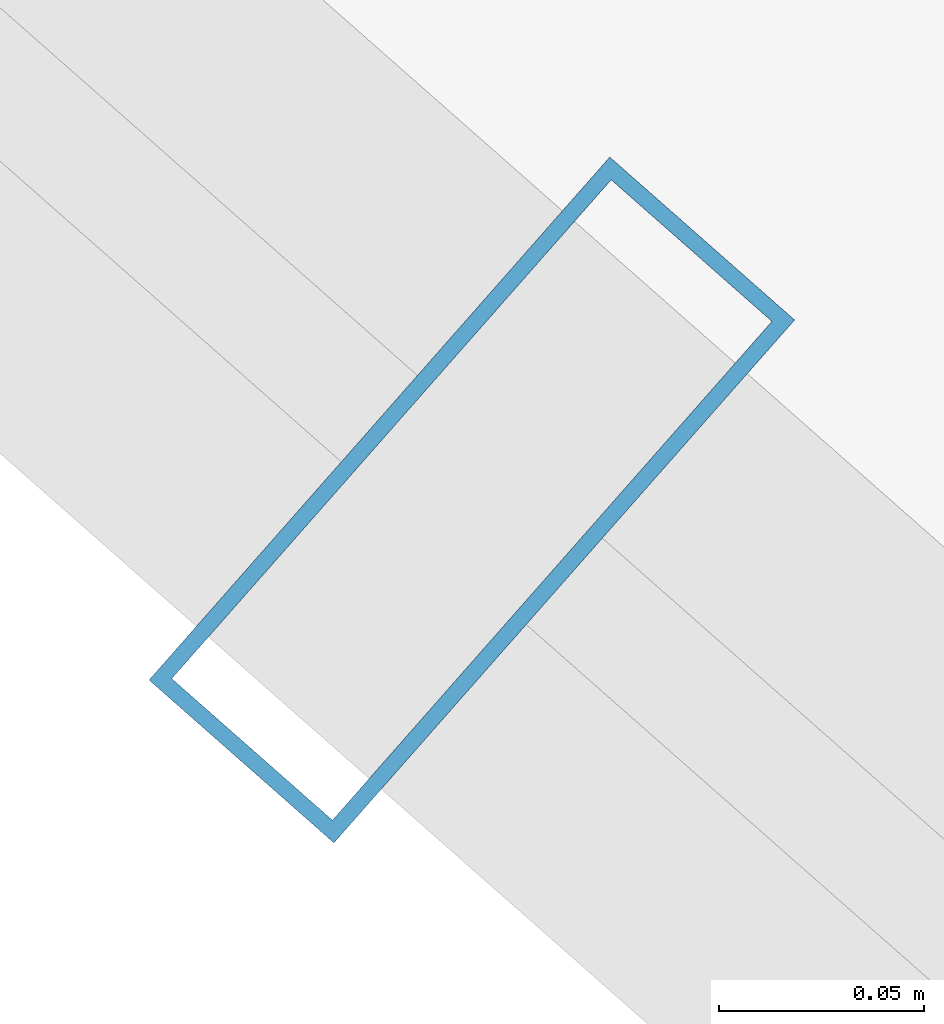
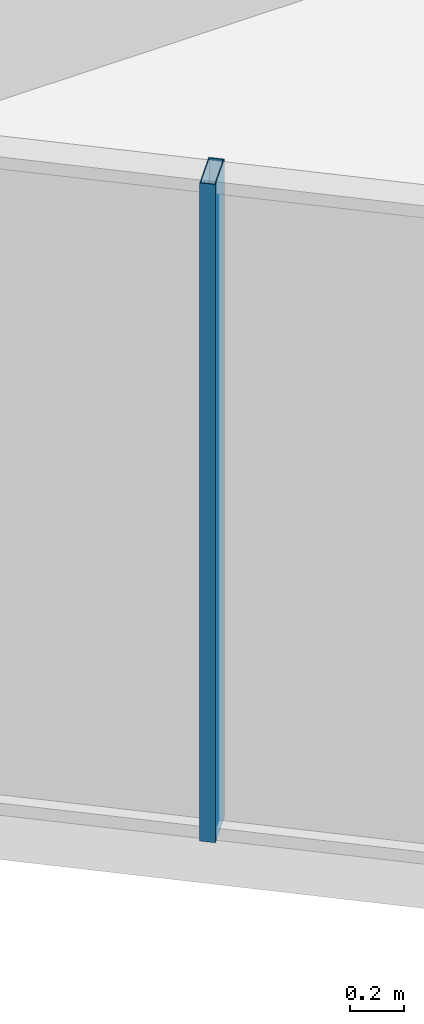
# One storey, part 2 of 32: 1 member, 1 element without a shape of its own.
"""IFC4 building model written with IfcOpenShell, lengths in metres."""

from ifc_helpers import new_model, si_unit, direction, frame, origin, origin_2d, place, context, subcontext, project, spatial, hollow_rectangle, extrude, source, transform, mapped, material, layer, layer_set, material_profile, profile_set, type_object, element, aggregate, save


model = new_model("IFC4")

# Units and contexts
model_context = context("Model", 3, precision=1e-05, world=origin(), true_north=direction((0.0, 1.0)))
body_context = subcontext(model_context, "Body", "Model", "MODEL_VIEW")
ifc_project = project(units=[si_unit("LENGTHUNIT", "METRE"), si_unit("AREAUNIT", "SQUARE_METRE"), si_unit("VOLUMEUNIT", "CUBIC_METRE"), si_unit("PLANEANGLEUNIT", "RADIAN"), si_unit("MASSUNIT", "GRAM", prefix="KILO")], contexts=[model_context])

# Site, building, storey
site_placement = place(None, origin())
site = spatial("IfcSite", under=ifc_project, at=site_placement, CompositionType="ELEMENT")
building_placement = place(site_placement, origin())
building = spatial("IfcBuilding", under=site, at=building_placement, Name="Veraguas Prism Commons", CompositionType="ELEMENT")
storey_placement = place(building_placement, frame((0.0, 0.0, 89.449951171875)))
storey = spatial("IfcBuildingStorey", under=building, at=storey_placement, Name="L24", CompositionType="ELEMENT", Elevation=89.449951171875)

# Curtain wall, member
ifc_material = material(Name="Anodised aluminium EN AW-6063 T6", Category="aluminium")
ifc_layer = layer(ifc_material, 0.169921875, Name="Unitised Flush Curtain Wall Zone 2", Category="aluminium")
ifc_layer_set = layer_set([ifc_layer], Name="Anodised aluminium EN AW-6063 T6")
curtain_wall_type = type_object("IfcCurtainWallType", Name="Unitised Flush Curtain Wall Zone 2", PredefinedType="NOTDEFINED", material=ifc_layer_set)
curtain_wall_placement = place(storey_placement, origin())
curtain_wall = element("IfcCurtainWall", 1, at=curtain_wall_placement, inside=storey, type_object=curtain_wall_type, Name="Tower Facade Curtain Wall L24-F4", PredefinedType="NOTDEFINED")
ifc_material_profile = material_profile(ifc_material, hollow_rectangle(XDim=0.06005859375, YDim=0.169921875, WallThickness=0.00390625, at=origin_2d()), Name="AL60X170X4")
ifc_profile_set = profile_set([ifc_material_profile], Name="Anodised aluminium EN AW-6063 T6")
member_type = type_object("IfcMemberType", Name="Curtain Wall Mullion Lower AL 60x170x4", PredefinedType="MULLION", material=ifc_profile_set)
shared_shape = source(origin(), body_context, "Body", "SweptSolid", [
    extrude(hollow_rectangle(XDim=0.06005859375, YDim=0.169921875, WallThickness=0.00390625, at=origin_2d()), origin(), (0.0, 0.0, 1.0), 3.0),
])
member_placement = place(storey_placement, frame((11.3193359375, 9.606689453125, 0.0), z_axis=(0.0, 0.0, 1.0), x_axis=(0.750341865315, -0.661049986881, 0.0)))
member = element("IfcMember", 2, at=member_placement, type_object=member_type, Name="CW-Z2 Mullion 3", PredefinedType="MULLION", context=body_context, shape_type="MappedRepresentation", body=[
    mapped(shared_shape, transform((0.0, 0.0, 0.0), scale=1.0)),
])
aggregate(curtain_wall, [member])

save(model, "model.ifc")
